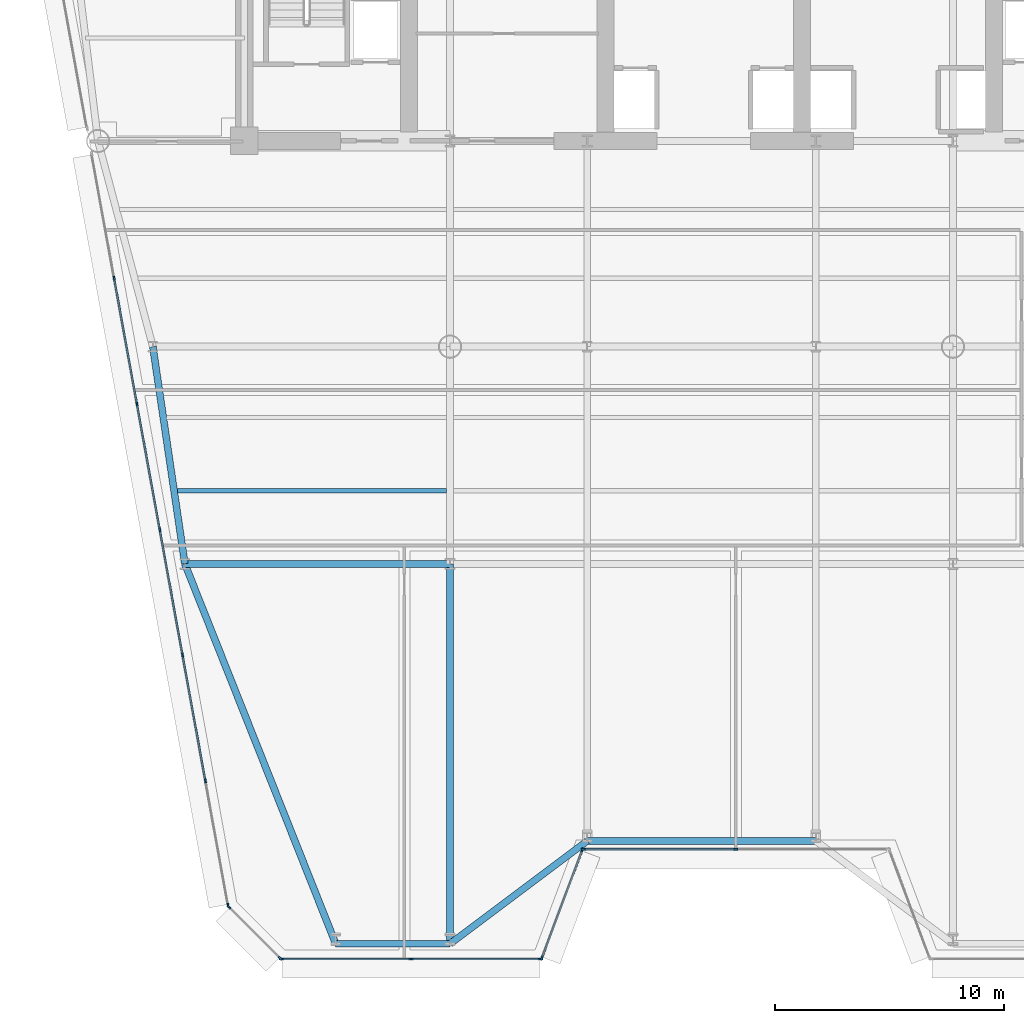
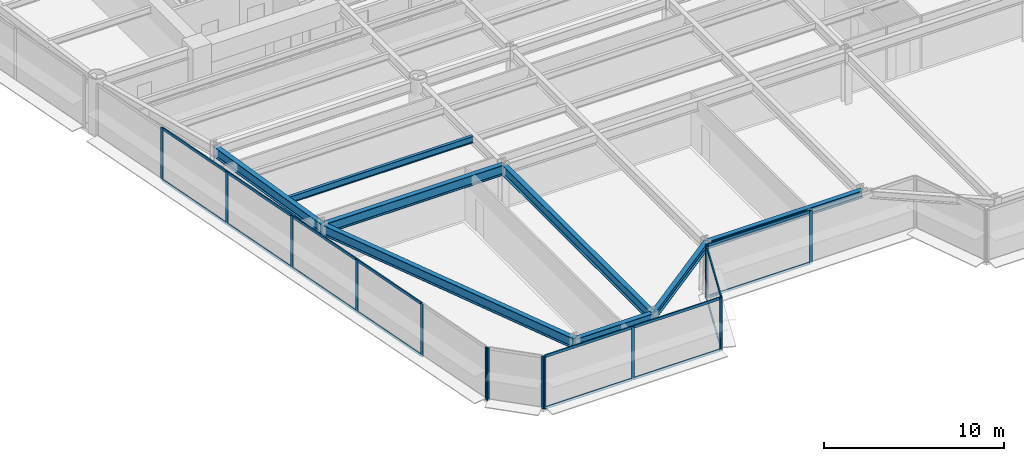
# One storey, part 2 of 14: 31 members, 8 beams, 5 elements without a shape of their own.
"""IFC4 building model written with IfcOpenShell, lengths in metres."""

from ifc_helpers import new_model, si_unit, direction, frame, origin, origin_2d, place, context, subcontext, project, spatial, rectangle, i_section, extrude, source, transform, mapped, material, layer, layer_set, material_profile, profile_set, type_object, element, aggregate, save


model = new_model("IFC4")

# Units and contexts
model_context = context("Model", 3, precision=1e-05, world=origin(), true_north=direction((0.0, 1.0)))
body_context = subcontext(model_context, "Body", "Model", "MODEL_VIEW")
ifc_project = project(units=[si_unit("LENGTHUNIT", "METRE"), si_unit("AREAUNIT", "SQUARE_METRE"), si_unit("VOLUMEUNIT", "CUBIC_METRE"), si_unit("PLANEANGLEUNIT", "RADIAN"), si_unit("MASSUNIT", "GRAM", prefix="KILO")], contexts=[model_context])

# Site, building, storey
site_placement = place(None, origin())
site = spatial("IfcSite", under=ifc_project, at=site_placement, CompositionType="ELEMENT")
building_placement = place(site_placement, origin())
building = spatial("IfcBuilding", under=site, at=building_placement, Name="Vaeldorn Concourse Tower", CompositionType="ELEMENT")
storey_placement = place(building_placement, frame((0.0, 0.0, 133.800048828125)))
storey = spatial("IfcBuildingStorey", under=building, at=storey_placement, Name="L34", CompositionType="ELEMENT", Elevation=133.800048828125)

# Beams
ifc_material_1 = material(Name="Steel S355", Category="steel")
ifc_material_profile_1 = material_profile(ifc_material_1, i_section(OverallWidth=0.300048828125, OverallDepth=0.5, WebThickness=0.014404296875, FlangeThickness=0.028076171875, FilletRadius=0.027099609375, at=origin_2d()), Name="HEB 500")
ifc_profile_set_1 = profile_set([ifc_material_profile_1], Name="Steel S355")
beam_type_1 = type_object("IfcBeamType", Name="BM-SP-HEB500", PredefinedType="SPANDREL", material=ifc_profile_set_1)
shared_shape_1 = source(origin(), body_context, "Body", "SweptSolid", [
    extrude(i_section(OverallWidth=0.300048828125, OverallDepth=0.5, WebThickness=0.014404296875, FlangeThickness=0.028076171875, FilletRadius=0.027099609375, at=origin_2d()), origin(), (0.0, 0.0, 1.0), 5.0),
])
beam_1_placement = place(storey_placement, frame((18.0, 1.378173828125, 3.329833984375), z_axis=(1.0, 0.0, 0.0), x_axis=(0.0, 1.0, 0.0)))
element("IfcBeam", 1, at=beam_1_placement, inside=storey, type_object=beam_type_1, Name="Beam BM-L34-C-SF1-C-SF2", PredefinedType="SPANDREL", context=body_context, shape_type="MappedRepresentation", body=[
    mapped(shared_shape_1, transform((0.0, 0.0, 0.0), scale=1.0)),
])
shared_shape_2 = source(origin(), body_context, "Body", "SweptSolid", [
    extrude(i_section(OverallWidth=0.300048828125, OverallDepth=0.5, WebThickness=0.014404296875, FlangeThickness=0.028076171875, FilletRadius=0.027099609375, at=origin_2d()), origin(), (0.0, 0.0, 1.0), 7.5),
])
beam_2_placement = place(storey_placement, frame((23.0, 1.378173828125, 3.329833984375), z_axis=(0.8, 0.6, 0.0), x_axis=(-0.6, 0.8, 0.0)))
element("IfcBeam", 2, at=beam_2_placement, inside=storey, type_object=beam_type_1, Name="Beam BM-L34-C-SF2-C-SF3", PredefinedType="SPANDREL", context=body_context, shape_type="MappedRepresentation", body=[
    mapped(shared_shape_2, transform((0.0, 0.0, 0.0), scale=1.0)),
])
shared_shape_3 = source(origin(), body_context, "Body", "SweptSolid", [
    extrude(i_section(OverallWidth=0.300048828125, OverallDepth=0.5, WebThickness=0.014404296875, FlangeThickness=0.028076171875, FilletRadius=0.027099609375, at=origin_2d()), origin(), (0.0, 0.0, 1.0), 10.0),
])
beam_3_placement = place(storey_placement, frame((29.0, 5.878173828125, 3.329833984375), z_axis=(1.0, 0.0, 0.0), x_axis=(0.0, 1.0, 0.0)))
element("IfcBeam", 3, at=beam_3_placement, inside=storey, type_object=beam_type_1, Name="Beam BM-L34-C-SF3-C-SF4", PredefinedType="SPANDREL", context=body_context, shape_type="MappedRepresentation", body=[
    mapped(shared_shape_3, transform((0.0, 0.0, 0.0), scale=1.0)),
])
ifc_material_profile_2 = material_profile(ifc_material_1, i_section(OverallWidth=0.300048828125, OverallDepth=0.699951171875, WebThickness=0.01708984375, FlangeThickness=0.031982421875, FilletRadius=0.027099609375, at=origin_2d()), Name="HEB 700")
ifc_profile_set_2 = profile_set([ifc_material_profile_2], Name="Steel S355")
beam_type_2 = type_object("IfcBeamType", Name="BM-PG-HEB700", PredefinedType="BEAM", material=ifc_profile_set_2)
shared_shape_4 = source(origin(), body_context, "Body", "SweptSolid", [
    extrude(i_section(OverallWidth=0.300048828125, OverallDepth=0.699951171875, WebThickness=0.01708984375, FlangeThickness=0.031982421875, FilletRadius=0.027099609375, at=origin_2d()), origin(), (0.0, 0.0, 1.0), 9.6025390625),
])
beam_4_placement = place(storey_placement, frame((10.0, 27.5, 3.22998046875), z_axis=(0.145783835977, -0.989316467652, 0.0), x_axis=(0.989316467652, 0.145783835977, 0.0)))
element("IfcBeam", 4, at=beam_4_placement, inside=storey, type_object=beam_type_2, Name="Beam BM-L34-C-FLW1-C-FLW2", PredefinedType="BEAM", context=body_context, shape_type="MappedRepresentation", body=[
    mapped(shared_shape_4, transform((0.0, 0.0, 0.0), scale=1.0)),
])
shared_shape_5 = source(origin(), body_context, "Body", "SweptSolid", [
    extrude(i_section(OverallWidth=0.300048828125, OverallDepth=0.699951171875, WebThickness=0.01708984375, FlangeThickness=0.031982421875, FilletRadius=0.027099609375, at=origin_2d()), origin(), (0.0, 0.0, 1.0), 11.60009765625),
])
beam_5_placement = place(storey_placement, frame((11.39990234375, 18.0, 3.22998046875), z_axis=(1.0, 0.0, 0.0), x_axis=(0.0, 1.0, 0.0)))
element("IfcBeam", 5, at=beam_5_placement, inside=storey, type_object=beam_type_2, Name="Beam BM-L34-C-FLW2-C-TW5", PredefinedType="BEAM", context=body_context, shape_type="MappedRepresentation", body=[
    mapped(shared_shape_5, transform((0.0, 0.0, 0.0), scale=1.0)),
])
shared_shape_6 = source(origin(), body_context, "Body", "SweptSolid", [
    extrude(i_section(OverallWidth=0.300048828125, OverallDepth=0.699951171875, WebThickness=0.01708984375, FlangeThickness=0.031982421875, FilletRadius=0.027099609375, at=origin_2d()), origin(), (0.0, 0.0, 1.0), 17.88427734375),
])
beam_6_placement = place(storey_placement, frame((18.0, 1.378173828125, 3.22998046875), z_axis=(-0.369045260184, 0.92941142447, 0.0), x_axis=(-0.92941142447, -0.369045260184, 0.0)))
element("IfcBeam", 6, at=beam_6_placement, inside=storey, type_object=beam_type_2, Name="Beam BM-L34-C-SF1-C-FLW2", PredefinedType="BEAM", context=body_context, shape_type="MappedRepresentation", body=[
    mapped(shared_shape_6, transform((0.0, 0.0, 0.0), scale=1.0)),
])
shared_shape_7 = source(origin(), body_context, "Body", "SweptSolid", [
    extrude(i_section(OverallWidth=0.300048828125, OverallDepth=0.699951171875, WebThickness=0.01708984375, FlangeThickness=0.031982421875, FilletRadius=0.027099609375, at=origin_2d()), origin(), (0.0, 0.0, 1.0), 16.621826171875),
])
beam_7_placement = place(storey_placement, frame((23.0, 1.378173828125, 3.22998046875), z_axis=(0.0, 1.0, 0.0), x_axis=(-1.0, 0.0, 0.0)))
element("IfcBeam", 7, at=beam_7_placement, inside=storey, type_object=beam_type_2, Name="Beam BM-L34-C-SF2-C-TW5", PredefinedType="BEAM", context=body_context, shape_type="MappedRepresentation", body=[
    mapped(shared_shape_7, transform((0.0, 0.0, 0.0), scale=1.0)),
])
ifc_material_profile_3 = material_profile(ifc_material_1, i_section(OverallWidth=0.18994140625, OverallDepth=0.449951171875, WebThickness=0.009521484375, FlangeThickness=0.0146484375, FilletRadius=0.02099609375, at=origin_2d()), Name="IPE 450")
ifc_profile_set_3 = profile_set([ifc_material_profile_3], Name="Steel S355")
beam_type_3 = type_object("IfcBeamType", Name="BM-JS-IPE450", PredefinedType="JOIST", material=ifc_profile_set_3)
shared_shape_8 = source(origin(), body_context, "Body", "SweptSolid", [
    extrude(i_section(OverallWidth=0.18994140625, OverallDepth=0.449951171875, WebThickness=0.009521484375, FlangeThickness=0.0146484375, FilletRadius=0.02099609375, at=origin_2d()), origin(), (0.0, 0.0, 1.0), 11.771728515625),
])
beam_8_placement = place(storey_placement, frame((11.078369140625, 21.199951171875, 3.35498046875), z_axis=(1.0, 0.0, 0.0), x_axis=(0.0, 1.0, 0.0)))
element("IfcBeam", 8, at=beam_8_placement, inside=storey, type_object=beam_type_3, Name="Beam JS-L34-W1-212", PredefinedType="JOIST", context=body_context, shape_type="MappedRepresentation", body=[
    mapped(shared_shape_8, transform((0.0, 0.0, 0.0), scale=1.0)),
])

# Curtain wall, members
ifc_material_2 = material(Name="Anodised Bronze Aluminium", Category="aluminium")
ifc_layer = layer(ifc_material_2, 0.199951171875)
ifc_layer_set = layer_set([ifc_layer], Name="Anodised Bronze Aluminium")
curtain_wall_type = type_object("IfcCurtainWallType", Name="CW-SYS-02", PredefinedType="NOTDEFINED", material=ifc_layer_set)
curtain_wall_1_placement = place(storey_placement, origin())
curtain_wall_1 = element("IfcCurtainWall", 9, at=curtain_wall_1_placement, inside=storey, type_object=curtain_wall_type, Name="Unitised Curtain Wall CW-L34-E03-1", PredefinedType="NOTDEFINED")
ifc_material_profile_4 = material_profile(ifc_material_2, rectangle(XDim=0.074951171875, YDim=0.179931640625, at=origin_2d()), Name="CWT 75x180")
ifc_profile_set_4 = profile_set([ifc_material_profile_4], Name="Anodised Bronze Aluminium")
member_type_1 = type_object("IfcMemberType", Name="CWT-BRONZE-180", PredefinedType="USERDEFINED", material=ifc_profile_set_4)
shared_shape_9 = source(origin(), body_context, "Body", "SweptSolid", [
    extrude(rectangle(XDim=0.074951171875, YDim=0.179931640625, at=origin_2d()), origin(), (0.0, 0.0, 1.0), 6.58740234375),
])
member_1_placement = place(storey_placement, frame((28.875, 5.51708984375, 0.037353515625), z_axis=(1.0, 0.0, 0.0), x_axis=(0.0, 1.0, 0.0)))
member_1 = element("IfcMember", 10, at=member_1_placement, type_object=member_type_1, Name="CW-02 transom 1.1", ObjectType="TRANSOM", PredefinedType="USERDEFINED", context=body_context, shape_type="MappedRepresentation", body=[
    mapped(shared_shape_9, transform((0.0, 0.0, 0.0), scale=1.0)),
])
member_2_placement = place(storey_placement, frame((28.875, 5.51708984375, 3.54248046875), z_axis=(1.0, 0.0, 0.0), x_axis=(0.0, 1.0, 0.0)))
member_2 = element("IfcMember", 11, at=member_2_placement, type_object=member_type_1, Name="CW-02 transom 1.2", ObjectType="TRANSOM", PredefinedType="USERDEFINED", context=body_context, shape_type="MappedRepresentation", body=[
    mapped(shared_shape_9, transform((0.0, 0.0, 0.0), scale=1.0)),
])

curtain_wall_2_placement = place(storey_placement, origin())
curtain_wall_2 = element("IfcCurtainWall", 12, at=curtain_wall_2_placement, inside=storey, type_object=curtain_wall_type, Name="Unitised Curtain Wall CW-L34-E02-1", PredefinedType="NOTDEFINED")
shared_shape_10 = source(origin(), body_context, "Body", "SweptSolid", [
    extrude(rectangle(XDim=0.074951171875, YDim=0.179931640625, at=origin_2d()), origin(), (0.0, 0.0, 1.0), 4.9765625),
])
member_3_placement = place(storey_placement, frame((27.0263671875, 0.787353515625, 0.037353515625), z_axis=(0.351112688987, 0.936333209724, 0.0), x_axis=(-0.936333209724, 0.351112688987, 0.0)))
member_3 = element("IfcMember", 13, at=member_3_placement, type_object=member_type_1, Name="CW-02 transom 1.1", ObjectType="TRANSOM", PredefinedType="USERDEFINED", context=body_context, shape_type="MappedRepresentation", body=[
    mapped(shared_shape_10, transform((0.0, 0.0, 0.0), scale=1.0)),
])
member_4_placement = place(storey_placement, frame((27.0263671875, 0.787353515625, 3.54248046875), z_axis=(0.351112688987, 0.936333209724, 0.0), x_axis=(-0.936333209724, 0.351112688987, 0.0)))
member_4 = element("IfcMember", 14, at=member_4_placement, type_object=member_type_1, Name="CW-02 transom 1.2", ObjectType="TRANSOM", PredefinedType="USERDEFINED", context=body_context, shape_type="MappedRepresentation", body=[
    mapped(shared_shape_10, transform((0.0, 0.0, 0.0), scale=1.0)),
])

curtain_wall_3_placement = place(storey_placement, origin())
curtain_wall_3 = element("IfcCurtainWall", 15, at=curtain_wall_3_placement, inside=storey, type_object=curtain_wall_type, Name="Unitised Curtain Wall CW-L34-E01-1", PredefinedType="NOTDEFINED")
shared_shape_11 = source(origin(), body_context, "Body", "SweptSolid", [
    extrude(rectangle(XDim=0.074951171875, YDim=0.179931640625, at=origin_2d()), origin(), (0.0, 0.0, 1.0), 5.589111328125),
])
member_5_placement = place(storey_placement, frame((15.671630859375, 0.71728515625, 0.037353515625), z_axis=(1.0, 0.0, 0.0), x_axis=(0.0, 1.0, 0.0)))
member_5 = element("IfcMember", 16, at=member_5_placement, type_object=member_type_1, Name="CW-02 transom 1.1", ObjectType="TRANSOM", PredefinedType="USERDEFINED", context=body_context, shape_type="MappedRepresentation", body=[
    mapped(shared_shape_11, transform((0.0, 0.0, 0.0), scale=1.0)),
])
member_6_placement = place(storey_placement, frame((15.671630859375, 0.71728515625, 3.54248046875), z_axis=(1.0, 0.0, 0.0), x_axis=(0.0, 1.0, 0.0)))
member_6 = element("IfcMember", 17, at=member_6_placement, type_object=member_type_1, Name="CW-02 transom 1.2", ObjectType="TRANSOM", PredefinedType="USERDEFINED", context=body_context, shape_type="MappedRepresentation", body=[
    mapped(shared_shape_11, transform((0.0, 0.0, 0.0), scale=1.0)),
])
member_7_placement = place(storey_placement, frame((21.3359375, 0.71728515625, 0.037353515625), z_axis=(1.0, 0.0, 0.0), x_axis=(0.0, 1.0, 0.0)))
member_7 = element("IfcMember", 18, at=member_7_placement, type_object=member_type_1, Name="CW-02 transom 2.1", ObjectType="TRANSOM", PredefinedType="USERDEFINED", context=body_context, shape_type="MappedRepresentation", body=[
    mapped(shared_shape_11, transform((0.0, 0.0, 0.0), scale=1.0)),
])
member_8_placement = place(storey_placement, frame((21.3359375, 0.71728515625, 3.54248046875), z_axis=(1.0, 0.0, 0.0), x_axis=(0.0, 1.0, 0.0)))
member_8 = element("IfcMember", 19, at=member_8_placement, type_object=member_type_1, Name="CW-02 transom 2.2", ObjectType="TRANSOM", PredefinedType="USERDEFINED", context=body_context, shape_type="MappedRepresentation", body=[
    mapped(shared_shape_11, transform((0.0, 0.0, 0.0), scale=1.0)),
])
ifc_material_profile_5 = material_profile(ifc_material_2, rectangle(XDim=0.074951171875, YDim=0.18994140625, at=origin_2d()), Name="CWM 75x190")
ifc_profile_set_5 = profile_set([ifc_material_profile_5], Name="Anodised Bronze Aluminium")
member_type_2 = type_object("IfcMemberType", Name="CWM-BRONZE-190", PredefinedType="MULLION", material=ifc_profile_set_5)
shared_shape_12 = source(origin(), body_context, "Body", "SweptSolid", [
    extrude(rectangle(XDim=0.074951171875, YDim=0.18994140625, at=origin_2d()), origin(), (0.0, 0.0, 1.0), 3.579833984375),
])
member_9_placement = place(storey_placement, frame((15.63427734375, 0.71728515625, 0.0), z_axis=(0.0, 0.0, 1.0), x_axis=(0.0, 1.0, 0.0)))
member_9 = element("IfcMember", 20, at=member_9_placement, type_object=member_type_2, Name="CW-02 mullion 1", PredefinedType="MULLION", context=body_context, shape_type="MappedRepresentation", body=[
    mapped(shared_shape_12, transform((0.0, 0.0, 0.0), scale=1.0)),
])
member_10_placement = place(storey_placement, frame((21.29833984375, 0.71728515625, 0.0), z_axis=(0.0, 0.0, 1.0), x_axis=(0.0, 1.0, 0.0)))
member_10 = element("IfcMember", 21, at=member_10_placement, type_object=member_type_2, Name="CW-02 mullion 2", PredefinedType="MULLION", context=body_context, shape_type="MappedRepresentation", body=[
    mapped(shared_shape_12, transform((0.0, 0.0, 0.0), scale=1.0)),
])
member_11_placement = place(storey_placement, frame((26.96240234375, 0.71728515625, 0.0), z_axis=(0.0, 0.0, 1.0), x_axis=(0.0, 1.0, 0.0)))
member_11 = element("IfcMember", 22, at=member_11_placement, type_object=member_type_2, Name="CW-02 mullion 3", PredefinedType="MULLION", context=body_context, shape_type="MappedRepresentation", body=[
    mapped(shared_shape_12, transform((0.0, 0.0, 0.0), scale=1.0)),
])
aggregate(curtain_wall_3, [member_9, member_10, member_11, member_5, member_6, member_7, member_8])

# Member
member_12_placement = place(storey_placement, frame((27.01318359375, 0.752197265625, 0.0), z_axis=(0.0, 0.0, 1.0), x_axis=(-0.936329177566, 0.351123441595, 0.0)))
member_12 = element("IfcMember", 23, at=member_12_placement, type_object=member_type_2, Name="CW-02 mullion 1", PredefinedType="MULLION", context=body_context, shape_type="MappedRepresentation", body=[
    mapped(shared_shape_12, transform((0.0, 0.0, 0.0), scale=1.0)),
])

member_13_placement = place(storey_placement, frame((28.786865234375, 5.482177734375, 0.0), z_axis=(0.0, 0.0, 1.0), x_axis=(-0.936329177566, 0.351123441595, 0.0)))
member_13 = element("IfcMember", 24, at=member_13_placement, type_object=member_type_2, Name="CW-02 mullion 2", PredefinedType="MULLION", context=body_context, shape_type="MappedRepresentation", body=[
    mapped(shared_shape_12, transform((0.0, 0.0, 0.0), scale=1.0)),
])

aggregate(curtain_wall_2, [member_12, member_13, member_3, member_4])

member_14_placement = place(storey_placement, frame((28.83740234375, 5.51708984375, 0.0), z_axis=(0.0, 0.0, 1.0), x_axis=(0.0, 1.0, 0.0)))
member_14 = element("IfcMember", 25, at=member_14_placement, type_object=member_type_2, Name="CW-02 mullion 1", PredefinedType="MULLION", context=body_context, shape_type="MappedRepresentation", body=[
    mapped(shared_shape_12, transform((0.0, 0.0, 0.0), scale=1.0)),
])

member_15_placement = place(storey_placement, frame((35.5, 5.51708984375, 0.0), z_axis=(0.0, 0.0, 1.0), x_axis=(0.0, 1.0, 0.0)))
member_15 = element("IfcMember", 26, at=member_15_placement, type_object=member_type_2, Name="CW-02 mullion 2", PredefinedType="MULLION", context=body_context, shape_type="MappedRepresentation", body=[
    mapped(shared_shape_12, transform((0.0, 0.0, 0.0), scale=1.0)),
])

aggregate(curtain_wall_1, [member_14, member_15, member_1, member_2])

# Curtain wall, members
curtain_wall_4_placement = place(storey_placement, origin())
curtain_wall_4 = element("IfcCurtainWall", 27, at=curtain_wall_4_placement, inside=storey, type_object=curtain_wall_type, Name="Unitised Curtain Wall CW-L34-E11-2", PredefinedType="NOTDEFINED")
member_16_placement = place(storey_placement, frame((8.3076171875, 30.48779296875, 0.0), z_axis=(0.0, 0.0, 1.0), x_axis=(0.983905086808, 0.178691858108, 0.0)))
member_16 = element("IfcMember", 28, at=member_16_placement, type_object=member_type_2, Name="CW-02 mullion 2", PredefinedType="MULLION", context=body_context, shape_type="MappedRepresentation", body=[
    mapped(shared_shape_12, transform((0.0, 0.0, 0.0), scale=1.0)),
])
member_17_placement = place(storey_placement, frame((9.305419921875, 24.99365234375, 0.0), z_axis=(0.0, 0.0, 1.0), x_axis=(0.983905086808, 0.178691858108, 0.0)))
member_17 = element("IfcMember", 29, at=member_17_placement, type_object=member_type_2, Name="CW-02 mullion 3", PredefinedType="MULLION", context=body_context, shape_type="MappedRepresentation", body=[
    mapped(shared_shape_12, transform((0.0, 0.0, 0.0), scale=1.0)),
])
member_18_placement = place(storey_placement, frame((10.30322265625, 19.49951171875, 0.0), z_axis=(0.0, 0.0, 1.0), x_axis=(0.983905086808, 0.178691858108, 0.0)))
member_18 = element("IfcMember", 30, at=member_18_placement, type_object=member_type_2, Name="CW-02 mullion 4", PredefinedType="MULLION", context=body_context, shape_type="MappedRepresentation", body=[
    mapped(shared_shape_12, transform((0.0, 0.0, 0.0), scale=1.0)),
])
member_19_placement = place(storey_placement, frame((11.301025390625, 14.00537109375, 0.0), z_axis=(0.0, 0.0, 1.0), x_axis=(0.983905086808, 0.178691858108, 0.0)))
member_19 = element("IfcMember", 31, at=member_19_placement, type_object=member_type_2, Name="CW-02 mullion 5", PredefinedType="MULLION", context=body_context, shape_type="MappedRepresentation", body=[
    mapped(shared_shape_12, transform((0.0, 0.0, 0.0), scale=1.0)),
])
member_20_placement = place(storey_placement, frame((12.298828125, 8.51123046875, 0.0), z_axis=(0.0, 0.0, 1.0), x_axis=(0.983905086808, 0.178691858108, 0.0)))
member_20 = element("IfcMember", 32, at=member_20_placement, type_object=member_type_2, Name="CW-02 mullion 6", PredefinedType="MULLION", context=body_context, shape_type="MappedRepresentation", body=[
    mapped(shared_shape_12, transform((0.0, 0.0, 0.0), scale=1.0)),
])
member_21_placement = place(storey_placement, frame((13.2900390625, 3.05419921875, 0.0), z_axis=(0.0, 0.0, 1.0), x_axis=(0.983905086808, 0.178691858108, 0.0)))
member_21 = element("IfcMember", 33, at=member_21_placement, type_object=member_type_2, Name="CW-02 mullion 7", PredefinedType="MULLION", context=body_context, shape_type="MappedRepresentation", body=[
    mapped(shared_shape_12, transform((0.0, 0.0, 0.0), scale=1.0)),
])

curtain_wall_5_placement = place(storey_placement, origin())
curtain_wall_5 = element("IfcCurtainWall", 34, at=curtain_wall_5_placement, inside=storey, type_object=curtain_wall_type, Name="Unitised Curtain Wall CW-L34-E12-1", PredefinedType="NOTDEFINED")
member_22_placement = place(storey_placement, frame((13.3232421875, 2.99072265625, 0.0), z_axis=(0.0, 0.0, 1.0), x_axis=(0.707106781187, 0.707106781187, 0.0)))
member_22 = element("IfcMember", 35, at=member_22_placement, type_object=member_type_2, Name="CW-02 mullion 1", PredefinedType="MULLION", context=body_context, shape_type="MappedRepresentation", body=[
    mapped(shared_shape_12, transform((0.0, 0.0, 0.0), scale=1.0)),
])
member_23_placement = place(storey_placement, frame((15.570068359375, 0.74365234375, 0.0), z_axis=(0.0, 0.0, 1.0), x_axis=(0.707106781187, 0.707106781187, 0.0)))
member_23 = element("IfcMember", 36, at=member_23_placement, type_object=member_type_2, Name="CW-02 mullion 2", PredefinedType="MULLION", context=body_context, shape_type="MappedRepresentation", body=[
    mapped(shared_shape_12, transform((0.0, 0.0, 0.0), scale=1.0)),
])
aggregate(curtain_wall_5, [member_22, member_23])

# Member
shared_shape_13 = source(origin(), body_context, "Body", "SweptSolid", [
    extrude(rectangle(XDim=0.074951171875, YDim=0.179931640625, at=origin_2d()), origin(), (0.0, 0.0, 1.0), 5.5087890625),
])
member_24_placement = place(storey_placement, frame((10.31005859375, 19.462646484375, 0.037353515625), z_axis=(0.178690435204, -0.983905345227, 0.0), x_axis=(0.983905345227, 0.178690435204, 0.0)))
member_24 = element("IfcMember", 37, at=member_24_placement, type_object=member_type_1, Name="CW-02 transom 4.1", ObjectType="TRANSOM", PredefinedType="USERDEFINED", context=body_context, shape_type="MappedRepresentation", body=[
    mapped(shared_shape_13, transform((0.0, 0.0, 0.0), scale=1.0)),
])

member_25_placement = place(storey_placement, frame((10.31005859375, 19.462646484375, 3.54248046875), z_axis=(0.178690435204, -0.983905345227, 0.0), x_axis=(0.983905345227, 0.178690435204, 0.0)))
member_25 = element("IfcMember", 38, at=member_25_placement, type_object=member_type_1, Name="CW-02 transom 4.2", ObjectType="TRANSOM", PredefinedType="USERDEFINED", context=body_context, shape_type="MappedRepresentation", body=[
    mapped(shared_shape_13, transform((0.0, 0.0, 0.0), scale=1.0)),
])

member_26_placement = place(storey_placement, frame((11.307861328125, 13.968505859375, 0.037353515625), z_axis=(0.178690435204, -0.983905345227, 0.0), x_axis=(0.983905345227, 0.178690435204, 0.0)))
member_26 = element("IfcMember", 39, at=member_26_placement, type_object=member_type_1, Name="CW-02 transom 5.1", ObjectType="TRANSOM", PredefinedType="USERDEFINED", context=body_context, shape_type="MappedRepresentation", body=[
    mapped(shared_shape_13, transform((0.0, 0.0, 0.0), scale=1.0)),
])

member_27_placement = place(storey_placement, frame((11.307861328125, 13.968505859375, 3.54248046875), z_axis=(0.178690435204, -0.983905345227, 0.0), x_axis=(0.983905345227, 0.178690435204, 0.0)))
member_27 = element("IfcMember", 40, at=member_27_placement, type_object=member_type_1, Name="CW-02 transom 5.2", ObjectType="TRANSOM", PredefinedType="USERDEFINED", context=body_context, shape_type="MappedRepresentation", body=[
    mapped(shared_shape_13, transform((0.0, 0.0, 0.0), scale=1.0)),
])

shared_shape_14 = source(origin(), body_context, "Body", "SweptSolid", [
    extrude(rectangle(XDim=0.074951171875, YDim=0.179931640625, at=origin_2d()), origin(), (0.0, 0.0, 1.0), 5.509033203125),
])
member_28_placement = place(storey_placement, frame((8.314208984375, 30.450927734375, 0.037353515625), z_axis=(0.1787255445, -0.98389896826, 0.0), x_axis=(0.98389896826, 0.1787255445, 0.0)))
member_28 = element("IfcMember", 41, at=member_28_placement, type_object=member_type_1, Name="CW-02 transom 2.1", ObjectType="TRANSOM", PredefinedType="USERDEFINED", context=body_context, shape_type="MappedRepresentation", body=[
    mapped(shared_shape_14, transform((0.0, 0.0, 0.0), scale=1.0)),
])

member_29_placement = place(storey_placement, frame((8.314208984375, 30.450927734375, 3.54248046875), z_axis=(0.1787255445, -0.98389896826, 0.0), x_axis=(0.98389896826, 0.1787255445, 0.0)))
member_29 = element("IfcMember", 42, at=member_29_placement, type_object=member_type_1, Name="CW-02 transom 2.2", ObjectType="TRANSOM", PredefinedType="USERDEFINED", context=body_context, shape_type="MappedRepresentation", body=[
    mapped(shared_shape_14, transform((0.0, 0.0, 0.0), scale=1.0)),
])

member_30_placement = place(storey_placement, frame((9.312255859375, 24.956787109375, 0.037353515625), z_axis=(0.178682643781, -0.983906760223, 0.0), x_axis=(0.983906760223, 0.178682643781, 0.0)))
member_30 = element("IfcMember", 43, at=member_30_placement, type_object=member_type_1, Name="CW-02 transom 3.1", ObjectType="TRANSOM", PredefinedType="USERDEFINED", context=body_context, shape_type="MappedRepresentation", body=[
    mapped(shared_shape_14, transform((0.0, 0.0, 0.0), scale=1.0)),
])

member_31_placement = place(storey_placement, frame((9.312255859375, 24.956787109375, 3.54248046875), z_axis=(0.178682643781, -0.983906760223, 0.0), x_axis=(0.983906760223, 0.178682643781, 0.0)))
member_31 = element("IfcMember", 44, at=member_31_placement, type_object=member_type_1, Name="CW-02 transom 3.2", ObjectType="TRANSOM", PredefinedType="USERDEFINED", context=body_context, shape_type="MappedRepresentation", body=[
    mapped(shared_shape_14, transform((0.0, 0.0, 0.0), scale=1.0)),
])

aggregate(curtain_wall_4, [member_16, member_17, member_18, member_19, member_20, member_21, member_28, member_29, member_30, member_31, member_24, member_25, member_26, member_27])

save(model, "model.ifc")
